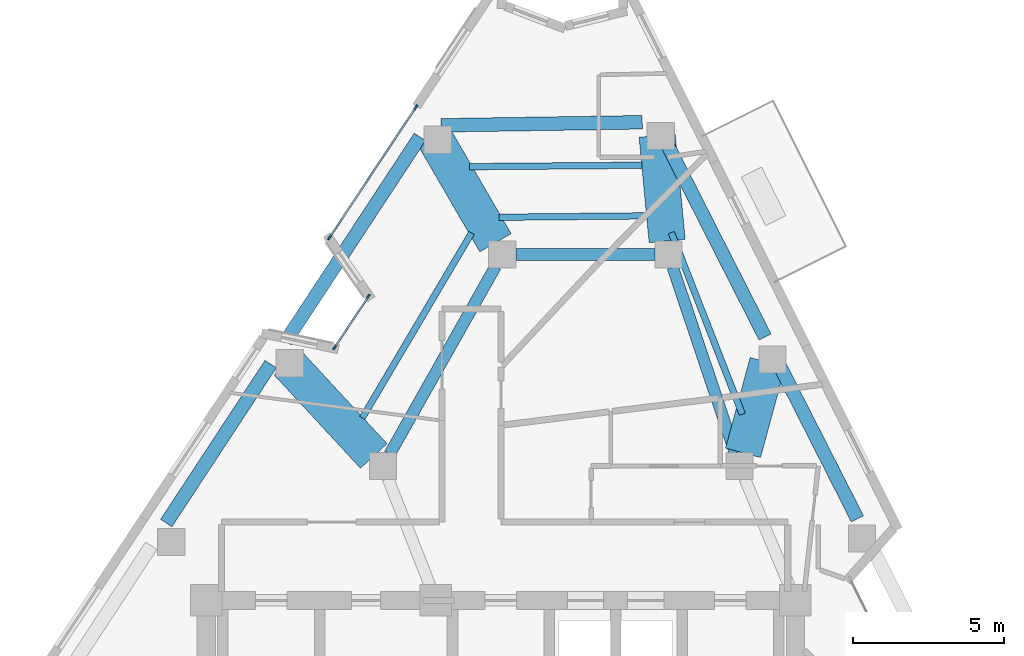
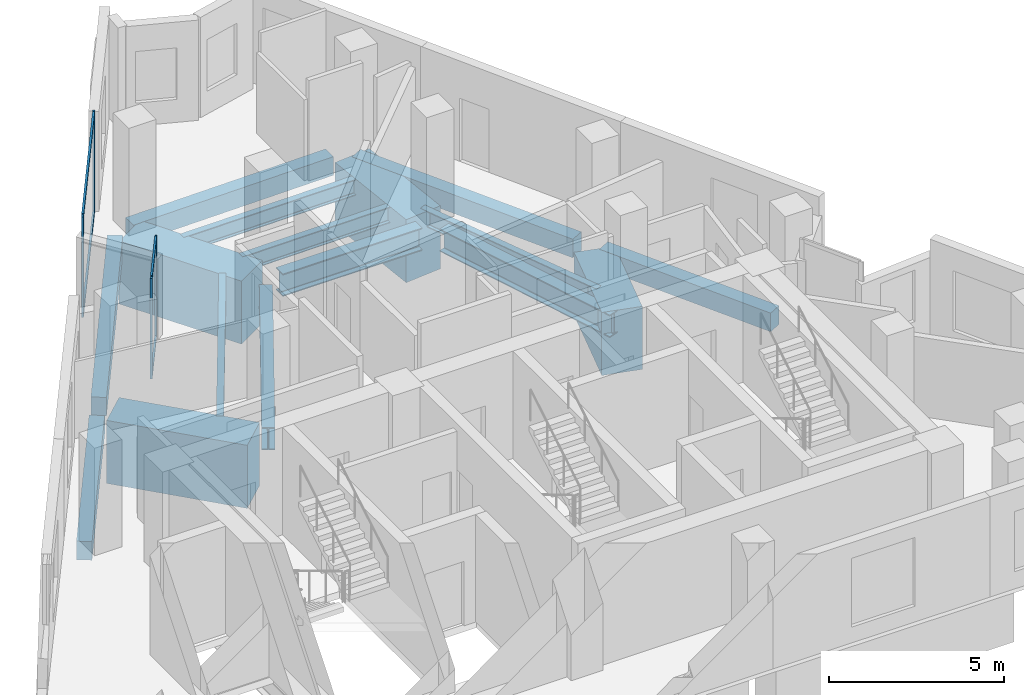
# One storey, part 3 of 9: 16 beams, 8 members, 2 elements without a shape of their own.
"""IFC4 building model written with IfcOpenShell, lengths in metres."""

from ifc_helpers import new_model, si_unit, direction, frame, origin, origin_2d, place, context, subcontext, project, spatial, rectangle, i_section, extrude, material, layer, layer_set, material_profile, profile_set, type_object, element, aggregate, save


model = new_model("IFC4")

# Units and contexts
model_context = context("Model", 3, precision=1e-05, world=origin(), true_north=direction((0.0, 1.0)))
body_context = subcontext(model_context, "Body", "Model", "MODEL_VIEW")
ifc_project = project(units=[si_unit("LENGTHUNIT", "METRE"), si_unit("AREAUNIT", "SQUARE_METRE"), si_unit("VOLUMEUNIT", "CUBIC_METRE"), si_unit("PLANEANGLEUNIT", "RADIAN"), si_unit("MASSUNIT", "GRAM", prefix="KILO")], contexts=[model_context])

# Site, building, storey
site_placement = place(None, origin())
site = spatial("IfcSite", under=ifc_project, at=site_placement, CompositionType="ELEMENT")
building_placement = place(site_placement, origin())
building = spatial("IfcBuilding", under=site, at=building_placement, Name="Almagre Mirador Tower", CompositionType="ELEMENT")
storey_placement = place(building_placement, frame((0.0, 0.0, 252.0)))
storey = spatial("IfcBuildingStorey", under=building, at=storey_placement, Name="L65", CompositionType="ELEMENT", Elevation=252.0)

# Beams
ifc_material_1 = material(Name="Steel ASTM A992 Grade 50", Category="steel")
ifc_material_profile_1 = material_profile(ifc_material_1, i_section(OverallWidth=0.214111328125, OverallDepth=0.549072265625, WebThickness=0.0146484375, FlangeThickness=0.023681640625, FilletRadius=0.01806640625, at=origin_2d()), Name="W21X93")
ifc_profile_set_1 = profile_set([ifc_material_profile_1], Name="Steel ASTM A992 Grade 50")
beam_type_1 = type_object("IfcBeamType", Name="BM-JST-W21X93", PredefinedType="JOIST", material=ifc_profile_set_1)
beam_1_placement = place(storey_placement, frame((45.295654296875, 20.912109375, -0.5244140625), z_axis=(-0.36391459628, 0.931432319932, 0.0), x_axis=(-0.931432319932, -0.36391459628, 0.0)))
element("IfcBeam", 1, at=beam_1_placement, inside=storey, type_object=beam_type_1, Name="L65 secondary floor joist PC07-PC08.3", PredefinedType="JOIST", context=body_context, shape_type="SweptSolid", body=[
    extrude(i_section(OverallWidth=0.214111328125, OverallDepth=0.549072265625, WebThickness=0.0146484375, FlangeThickness=0.023681640625, FilletRadius=0.01806640625, at=origin_2d()), origin(), (0.0, 0.0, 1.0), 6.457275390625),
])
beam_2_placement = place(storey_placement, frame((41.9677734375, 29.155029296875, -0.5244140625), z_axis=(-0.999965178474, -0.008345168613, 0.0), x_axis=(0.008345168613, -0.999965178474, 0.0)))
element("IfcBeam", 2, at=beam_2_placement, inside=storey, type_object=beam_type_1, Name="L65 secondary floor joist PC08-PC09.1", PredefinedType="JOIST", context=body_context, shape_type="SweptSolid", body=[
    extrude(i_section(OverallWidth=0.214111328125, OverallDepth=0.549072265625, WebThickness=0.0146484375, FlangeThickness=0.023681640625, FilletRadius=0.01806640625, at=origin_2d()), origin(), (0.0, 0.0, 1.0), 5.704833984375),
])
beam_3_placement = place(storey_placement, frame((42.12744140625, 27.4794921875, -0.5244140625), z_axis=(-0.999954065682, -0.009584702741, 0.0), x_axis=(0.009584702741, -0.999954065682, 0.0)))
element("IfcBeam", 3, at=beam_3_placement, inside=storey, type_object=beam_type_1, Name="L65 secondary floor joist PC08-PC09.3", PredefinedType="JOIST", context=body_context, shape_type="SweptSolid", body=[
    extrude(i_section(OverallWidth=0.214111328125, OverallDepth=0.549072265625, WebThickness=0.0146484375, FlangeThickness=0.023681640625, FilletRadius=0.01806640625, at=origin_2d()), origin(), (0.0, 0.0, 1.0), 4.890625),
])
beam_4_placement = place(storey_placement, frame((36.331787109375, 26.910400390625, -0.5244140625), z_axis=(-0.508799862334, -0.860884835555, 0.0), x_axis=(0.860884835555, -0.508799862334, 0.0)))
element("IfcBeam", 4, at=beam_4_placement, inside=storey, type_object=beam_type_1, Name="L65 secondary floor joist PC09-PC10.3", PredefinedType="JOIST", context=body_context, shape_type="SweptSolid", body=[
    extrude(i_section(OverallWidth=0.214111328125, OverallDepth=0.549072265625, WebThickness=0.0146484375, FlangeThickness=0.023681640625, FilletRadius=0.01806640625, at=origin_2d()), origin(), (0.0, 0.0, 1.0), 7.111572265625),
])
ifc_material_2 = material(Name="Precast concrete C50/60", Category="concrete")
ifc_material_profile_2 = material_profile(ifc_material_2, rectangle(XDim=0.449951171875, YDim=0.64990234375, at=origin_2d()), Name="RC450X650")
ifc_profile_set_2 = profile_set([ifc_material_profile_2], Name="Precast concrete C50/60")
beam_type_2 = type_object("IfcBeamType", Name="BM-SPN-RC450X650", PredefinedType="SPANDREL", material=ifc_profile_set_2)
beam_5_placement = place(storey_placement, frame((49.104248046875, 17.4501953125, -0.574951171875), z_axis=(-0.452899170526, 0.891561742863, 0.0), x_axis=(-0.891561742863, -0.452899170526, 0.0)))
element("IfcBeam", 5, at=beam_5_placement, inside=storey, type_object=beam_type_2, Name="L65 perimeter spandrel beam PC06-PC07", PredefinedType="SPANDREL", context=body_context, shape_type="SweptSolid", body=[
    extrude(rectangle(XDim=0.449951171875, YDim=0.64990234375, at=origin_2d()), origin(), (0.0, 0.0, 1.0), 5.84765625),
])
beam_6_placement = place(storey_placement, frame((46.048095703125, 23.46630859375, -0.574951171875), z_axis=(-0.452894484788, 0.891564123128, 0.0), x_axis=(-0.891564123128, -0.452894484788, 0.0)))
element("IfcBeam", 6, at=beam_6_placement, inside=storey, type_object=beam_type_2, Name="L65 perimeter spandrel beam PC07-PC08", PredefinedType="SPANDREL", context=body_context, shape_type="SweptSolid", body=[
    extrude(rectangle(XDim=0.449951171875, YDim=0.64990234375, at=origin_2d()), origin(), (0.0, 0.0, 1.0), 7.534423828125),
])
beam_7_placement = place(storey_placement, frame((41.982177734375, 30.578125, -0.574951171875), z_axis=(-0.999882180075, -0.015350112976, 0.0), x_axis=(0.015350112976, -0.999882180075, 0.0)))
element("IfcBeam", 7, at=beam_7_placement, inside=storey, type_object=beam_type_2, Name="L65 perimeter spandrel beam PC08-PC09", PredefinedType="SPANDREL", context=body_context, shape_type="SweptSolid", body=[
    extrude(rectangle(XDim=0.449951171875, YDim=0.64990234375, at=origin_2d()), origin(), (0.0, 0.0, 1.0), 6.6640625),
])
beam_8_placement = place(storey_placement, frame((34.621826171875, 30.093017578125, -0.574951171875), z_axis=(-0.54903769876, -0.835797586345, 0.0), x_axis=(0.835797586345, -0.54903769876, 0.0)))
element("IfcBeam", 8, at=beam_8_placement, inside=storey, type_object=beam_type_2, Name="L65 perimeter spandrel beam PC09-PC10", PredefinedType="SPANDREL", context=body_context, shape_type="SweptSolid", body=[
    extrude(rectangle(XDim=0.449951171875, YDim=0.64990234375, at=origin_2d()), origin(), (0.0, 0.0, 1.0), 8.097412109375),
])
beam_9_placement = place(storey_placement, frame((29.681884765625, 22.572998046875, -0.574951171875), z_axis=(-0.549024719226, -0.835806112492, 0.0), x_axis=(0.835806112492, -0.549024719226, 0.0)))
element("IfcBeam", 9, at=beam_9_placement, inside=storey, type_object=beam_type_2, Name="L65 perimeter spandrel beam PC10-PC11", PredefinedType="SPANDREL", context=body_context, shape_type="SweptSolid", body=[
    extrude(rectangle(XDim=0.449951171875, YDim=0.64990234375, at=origin_2d()), origin(), (0.0, 0.0, 1.0), 6.298095703125),
])
ifc_material_3 = material(Name="Steel ASTM A992 Grade 50", Category="steel")
ifc_material_profile_3 = material_profile(ifc_material_3, i_section(OverallWidth=0.384033203125, OverallDepth=0.784912109375, WebThickness=0.019775390625, FlangeThickness=0.033447265625, FilletRadius=0.02392578125, at=origin_2d()), Name="W30X211")
ifc_profile_set_3 = profile_set([ifc_material_profile_3], Name="Steel ASTM A992 Grade 50")
beam_type_3 = type_object("IfcBeamType", Name="BM-STL-W30X211", PredefinedType="BEAM", material=ifc_profile_set_3)
beam_10_placement = place(storey_placement, frame((37.800048828125, 26.199951171875, -0.642578125), z_axis=(1.0, 0.0, 0.0), x_axis=(0.0, 1.0, 0.0)))
element("IfcBeam", 10, at=beam_10_placement, inside=storey, type_object=beam_type_3, Name="L65 core tie girder MC7-MC6", PredefinedType="BEAM", context=body_context, shape_type="SweptSolid", body=[
    extrude(i_section(OverallWidth=0.384033203125, OverallDepth=0.784912109375, WebThickness=0.019775390625, FlangeThickness=0.033447265625, FilletRadius=0.02392578125, at=origin_2d()), origin(), (0.0, 0.0, 1.0), 4.599853515625),
])
beam_11_placement = place(storey_placement, frame((42.9931640625, 25.7734375, -0.642578125), z_axis=(0.318282890726, -0.947995781357, 0.0), x_axis=(0.947995781357, 0.318282890726, 0.0)))
element("IfcBeam", 11, at=beam_11_placement, inside=storey, type_object=beam_type_3, Name="L65 core tie girder MC6-MC5", PredefinedType="BEAM", context=body_context, shape_type="SweptSolid", body=[
    extrude(i_section(OverallWidth=0.384033203125, OverallDepth=0.784912109375, WebThickness=0.019775390625, FlangeThickness=0.033447265625, FilletRadius=0.02392578125, at=origin_2d()), origin(), (0.0, 0.0, 1.0), 6.48388671875),
])
beam_12_placement = place(storey_placement, frame((37.12890625, 25.80810546875, -0.642578125), z_axis=(-0.491446261843, -0.870907900825, 0.0), x_axis=(0.870907900825, -0.491446261843, 0.0)))
element("IfcBeam", 12, at=beam_12_placement, inside=storey, type_object=beam_type_3, Name="L65 core tie girder MC7-MC8", PredefinedType="BEAM", context=body_context, shape_type="SweptSolid", body=[
    extrude(i_section(OverallWidth=0.384033203125, OverallDepth=0.784912109375, WebThickness=0.019775390625, FlangeThickness=0.033447265625, FilletRadius=0.02392578125, at=origin_2d()), origin(), (0.0, 0.0, 1.0), 7.1376953125),
])
ifc_material_4 = material(Name="Concrete C60/75", Category="concrete")
ifc_material_profile_4 = material_profile(ifc_material_4, rectangle(XDim=1.199951171875, YDim=2.199951171875, at=origin_2d()), Name="RC1200X2200")
ifc_profile_set_4 = profile_set([ifc_material_profile_4], Name="Concrete C60/75")
beam_type_4 = type_object("IfcBeamType", Name="BM-XFER-RC1200X2200", PredefinedType="BEAM", material=ifc_profile_set_4)
beam_13_placement = place(storey_placement, frame((46.1337890625, 22.630859375, -1.35009765625), z_axis=(-0.26264509324, -0.964892509556, 0.0), x_axis=(0.964892509556, -0.26264509324, 0.0)))
element("IfcBeam", 13, at=beam_13_placement, inside=storey, type_object=beam_type_4, Name="L65 radial transfer girder PC07-MC5", PredefinedType="BEAM", context=body_context, shape_type="SweptSolid", body=[
    extrude(rectangle(XDim=1.199951171875, YDim=2.199951171875, at=origin_2d()), origin(), (0.0, 0.0, 1.0), 3.105712890625),
])
beam_14_placement = place(storey_placement, frame((42.474609375, 30.136962890625, -1.35009765625), z_axis=(0.094943868269, -0.995482627612, 0.0), x_axis=(0.995482627612, 0.094943868269, 0.0)))
element("IfcBeam", 14, at=beam_14_placement, inside=storey, type_object=beam_type_4, Name="L65 radial transfer girder PC08-MC6", PredefinedType="BEAM", context=body_context, shape_type="SweptSolid", body=[
    extrude(rectangle(XDim=1.199951171875, YDim=2.199951171875, at=origin_2d()), origin(), (0.0, 0.0, 1.0), 3.5048828125),
])
beam_15_placement = place(storey_placement, frame((35.09521484375, 30.079833984375, -1.35009765625), z_axis=(0.502449130804, -0.864606772443, 0.0), x_axis=(0.864606772443, 0.502449130804, 0.0)))
element("IfcBeam", 15, at=beam_15_placement, inside=storey, type_object=beam_type_4, Name="L65 radial transfer girder PC09-MC7", PredefinedType="BEAM", context=body_context, shape_type="SweptSolid", body=[
    extrude(rectangle(XDim=1.199951171875, YDim=2.199951171875, at=origin_2d()), origin(), (0.0, 0.0, 1.0), 4.037353515625),
])
beam_16_placement = place(storey_placement, frame((30.234619140625, 22.618896484375, -1.35009765625), z_axis=(0.679380272184, -0.733786376112, 0.0), x_axis=(0.733786376112, 0.679380272184, 0.0)))
element("IfcBeam", 16, at=beam_16_placement, inside=storey, type_object=beam_type_4, Name="L65 radial transfer girder PC10-MC8", PredefinedType="BEAM", context=body_context, shape_type="SweptSolid", body=[
    extrude(rectangle(XDim=1.199951171875, YDim=2.199951171875, at=origin_2d()), origin(), (0.0, 0.0, 1.0), 4.209228515625),
])

# Curtain wall, members
ifc_material_5 = material(Name="Black anodized aluminium", Category="aluminium")
ifc_layer_1 = layer(ifc_material_5, 0.169921875)
ifc_layer_set_1 = layer_set([ifc_layer_1], Name="Black anodized aluminium")
curtain_wall_type_1 = type_object("IfcCurtainWallType", Name="CW-CRS-SYS", PredefinedType="NOTDEFINED", material=ifc_layer_set_1)
curtain_wall_1_placement = place(storey_placement, origin())
curtain_wall_1 = element("IfcCurtainWall", 17, at=curtain_wall_1_placement, inside=storey, type_object=curtain_wall_type_1, Name="L65 vertical crease curtain wall 01", PredefinedType="NOTDEFINED")
ifc_material_6 = material(Name="Black anodized aluminium", Category="aluminium")
ifc_material_profile_5 = material_profile(ifc_material_6, rectangle(XDim=0.06005859375, YDim=0.14990234375, at=origin_2d()), Name="CWM60X150")
ifc_profile_set_5 = profile_set([ifc_material_profile_5], Name="Black anodized aluminium")
member_type_1 = type_object("IfcMemberType", Name="MBR-CWM60X150", PredefinedType="MULLION", material=ifc_profile_set_5)
member_1_placement = place(storey_placement, frame((31.795654296875, 23.118896484375, 0.0), z_axis=(0.0, 0.0, 1.0), x_axis=(-0.833812393793, 0.552047907303, 0.0)))
member_1 = element("IfcMember", 18, at=member_1_placement, type_object=member_type_1, Name="CW-4 mullion 1", PredefinedType="MULLION", context=body_context, shape_type="SweptSolid", body=[
    extrude(rectangle(XDim=0.06005859375, YDim=0.14990234375, at=origin_2d()), origin(), (0.0, 0.0, 1.0), 3.5),
])
member_2_placement = place(storey_placement, frame((32.91650390625, 24.81201171875, 0.0), z_axis=(0.0, 0.0, 1.0), x_axis=(-0.833812393793, 0.552047907303, 0.0)))
member_2 = element("IfcMember", 19, at=member_2_placement, type_object=member_type_1, Name="CW-4 mullion 2", PredefinedType="MULLION", context=body_context, shape_type="SweptSolid", body=[
    extrude(rectangle(XDim=0.06005859375, YDim=0.14990234375, at=origin_2d()), origin(), (0.0, 0.0, 1.0), 3.5),
])

ifc_material_7 = material(Name="Black anodized aluminium", Category="aluminium")
ifc_layer_2 = layer(ifc_material_7, 0.199951171875)
ifc_layer_set_2 = layer_set([ifc_layer_2], Name="Black anodized aluminium")
curtain_wall_type_2 = type_object("IfcCurtainWallType", Name="CW-RES-H-SYS", PredefinedType="NOTDEFINED", material=ifc_layer_set_2)
curtain_wall_2_placement = place(storey_placement, origin())
curtain_wall_2 = element("IfcCurtainWall", 20, at=curtain_wall_2_placement, inside=storey, type_object=curtain_wall_type_2, Name="L65 curtain wall run 02", PredefinedType="NOTDEFINED")
ifc_material_8 = material(Name="Black anodized aluminium", Category="aluminium")
ifc_material_profile_6 = material_profile(ifc_material_8, rectangle(XDim=0.06494140625, YDim=0.179931640625, at=origin_2d()), Name="CWM65X180")
ifc_profile_set_6 = profile_set([ifc_material_profile_6], Name="Black anodized aluminium")
member_type_2 = type_object("IfcMemberType", Name="MBR-CWM65X180", PredefinedType="MULLION", material=ifc_profile_set_6)
member_3_placement = place(storey_placement, frame((31.6298828125, 26.76416015625, 0.0), z_axis=(0.0, 0.0, 1.0), x_axis=(-0.833751136967, 0.552140418377, 0.0)))
member_3 = element("IfcMember", 21, at=member_3_placement, type_object=member_type_2, Name="CW-3 mullion 1", PredefinedType="MULLION", context=body_context, shape_type="SweptSolid", body=[
    extrude(rectangle(XDim=0.06494140625, YDim=0.179931640625, at=origin_2d()), origin(), (0.0, 0.0, 1.0), 3.5),
])
member_4_placement = place(storey_placement, frame((34.484130859375, 31.073974609375, 0.0), z_axis=(0.0, 0.0, 1.0), x_axis=(-0.833751136967, 0.552140418377, 0.0)))
member_4 = element("IfcMember", 22, at=member_4_placement, type_object=member_type_2, Name="CW-3 mullion 2", PredefinedType="MULLION", context=body_context, shape_type="SweptSolid", body=[
    extrude(rectangle(XDim=0.06494140625, YDim=0.179931640625, at=origin_2d()), origin(), (0.0, 0.0, 1.0), 3.5),
])

# Member
ifc_material_9 = material(Name="Black anodized aluminium", Category="aluminium")
ifc_material_profile_7 = material_profile(ifc_material_9, rectangle(XDim=0.06005859375, YDim=0.1298828125, at=origin_2d()), Name="CWT60X130")
ifc_profile_set_7 = profile_set([ifc_material_profile_7], Name="Black anodized aluminium")
member_type_3 = type_object("IfcMemberType", Name="MBR-CWT60X130", PredefinedType="USERDEFINED", material=ifc_profile_set_7)
member_5_placement = place(storey_placement, frame((31.81201171875, 23.14404296875, 0.030029296875), z_axis=(0.552124115571, 0.833761933051, 0.0), x_axis=(-0.833761933051, 0.552124115571, 0.0)))
member_5 = element("IfcMember", 23, at=member_5_placement, type_object=member_type_3, Name="CW-4 transom 1.1", ObjectType="TRANSOM", PredefinedType="USERDEFINED", context=body_context, shape_type="SweptSolid", body=[
    extrude(rectangle(XDim=0.06005859375, YDim=0.1298828125, at=origin_2d()), origin(), (0.0, 0.0, 1.0), 1.970458984375),
])

member_6_placement = place(storey_placement, frame((31.81201171875, 23.14404296875, 3.469970703125), z_axis=(0.552124115571, 0.833761933051, 0.0), x_axis=(-0.833761933051, 0.552124115571, 0.0)))
member_6 = element("IfcMember", 24, at=member_6_placement, type_object=member_type_3, Name="CW-4 transom 1.2", ObjectType="TRANSOM", PredefinedType="USERDEFINED", context=body_context, shape_type="SweptSolid", body=[
    extrude(rectangle(XDim=0.06005859375, YDim=0.1298828125, at=origin_2d()), origin(), (0.0, 0.0, 1.0), 1.970458984375),
])

aggregate(curtain_wall_1, [member_1, member_2, member_5, member_6])

ifc_material_10 = material(Name="Black anodized aluminium", Category="aluminium")
ifc_material_profile_8 = material_profile(ifc_material_10, rectangle(XDim=0.06494140625, YDim=0.14990234375, at=origin_2d()), Name="CWT65X150")
ifc_profile_set_8 = profile_set([ifc_material_profile_8], Name="Black anodized aluminium")
member_type_4 = type_object("IfcMemberType", Name="MBR-CWT65X150", PredefinedType="USERDEFINED", material=ifc_profile_set_8)
member_7_placement = place(storey_placement, frame((31.64794921875, 26.791259765625, 0.032470703125), z_axis=(0.552125652355, 0.833760915378, 0.0), x_axis=(-0.833760915378, 0.552125652355, 0.0)))
member_7 = element("IfcMember", 25, at=member_7_placement, type_object=member_type_4, Name="CW-3 transom 1.1", ObjectType="TRANSOM", PredefinedType="USERDEFINED", context=body_context, shape_type="SweptSolid", body=[
    extrude(rectangle(XDim=0.06494140625, YDim=0.14990234375, at=origin_2d()), origin(), (0.0, 0.0, 1.0), 5.10400390625),
])

member_8_placement = place(storey_placement, frame((31.64794921875, 26.791259765625, 3.467529296875), z_axis=(0.552125652355, 0.833760915378, 0.0), x_axis=(-0.833760915378, 0.552125652355, 0.0)))
member_8 = element("IfcMember", 26, at=member_8_placement, type_object=member_type_4, Name="CW-3 transom 1.2", ObjectType="TRANSOM", PredefinedType="USERDEFINED", context=body_context, shape_type="SweptSolid", body=[
    extrude(rectangle(XDim=0.06494140625, YDim=0.14990234375, at=origin_2d()), origin(), (0.0, 0.0, 1.0), 5.10400390625),
])

aggregate(curtain_wall_2, [member_3, member_4, member_7, member_8])

save(model, "model.ifc")
